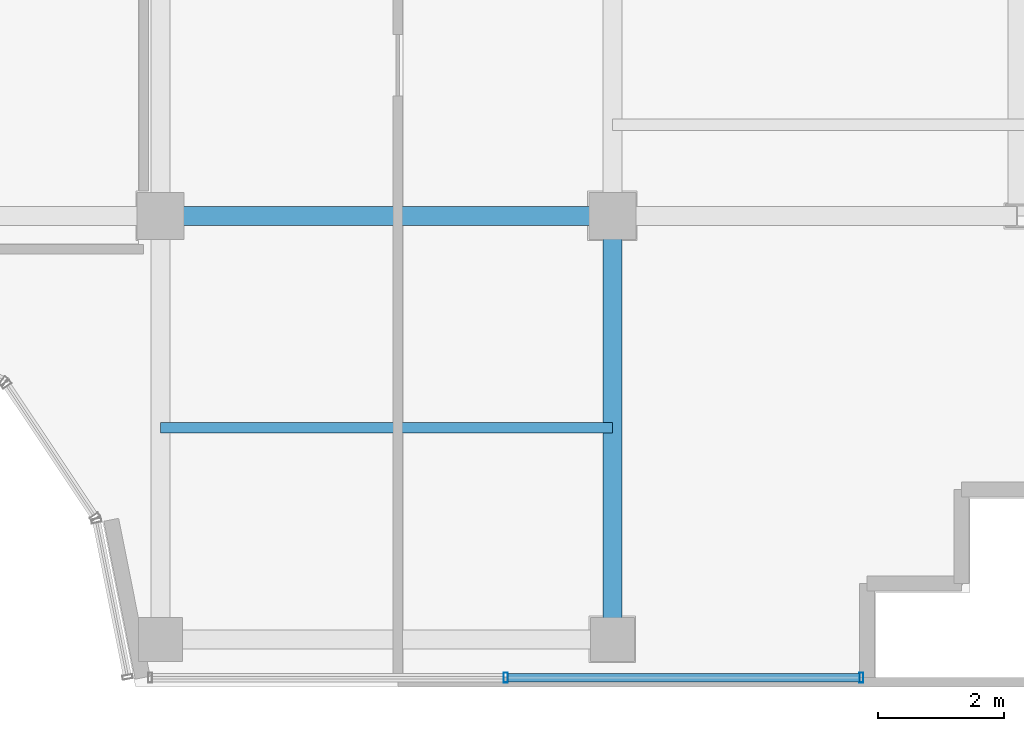
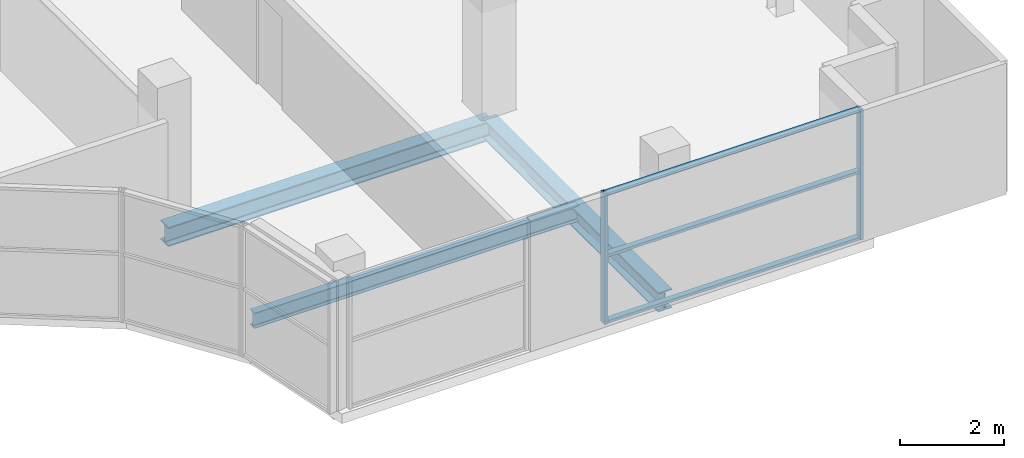
# One storey, part 13 of 29: 5 members, 3 beams, 1 element without a shape of its own.
"""IFC4 building model written with IfcOpenShell, lengths in metres."""

from ifc_helpers import new_model, si_unit, direction, frame, origin, origin_2d, place, context, subcontext, project, spatial, hollow_rectangle, i_section, extrude, source, transform, mapped, material, layer, layer_set, material_profile, profile_set, type_object, element, aggregate, save


model = new_model("IFC4")

# Units and contexts
model_context = context("Model", 3, precision=1e-05, world=origin(), true_north=direction((0.0, 1.0)))
body_context = subcontext(model_context, "Body", "Model", "MODEL_VIEW")
ifc_project = project(units=[si_unit("LENGTHUNIT", "METRE"), si_unit("AREAUNIT", "SQUARE_METRE"), si_unit("VOLUMEUNIT", "CUBIC_METRE"), si_unit("PLANEANGLEUNIT", "RADIAN"), si_unit("MASSUNIT", "GRAM", prefix="KILO")], contexts=[model_context])

# Site, building, storey
site_placement = place(None, origin())
site = spatial("IfcSite", under=ifc_project, at=site_placement, CompositionType="ELEMENT")
building_placement = place(site_placement, origin())
building = spatial("IfcBuilding", under=site, at=building_placement, Name="Zarnakvel Exchange Tower", CompositionType="ELEMENT")
storey_placement = place(building_placement, frame((0.0, 0.0, 265.0)))
storey = spatial("IfcBuildingStorey", under=building, at=storey_placement, Name="L75", CompositionType="ELEMENT", Elevation=265.0)

# Beams
ifc_material_1 = material(Name="Steel S355", Category="steel")
ifc_material_profile_1 = material_profile(ifc_material_1, i_section(OverallWidth=0.169921875, OverallDepth=0.360107421875, WebThickness=0.008056640625, FlangeThickness=0.0126953125, FilletRadius=0.01806640625, at=origin_2d()))
ifc_profile_set_1 = profile_set([ifc_material_profile_1], Name="Steel S355")
beam_type_1 = type_object("IfcBeamType", Name="B-07", PredefinedType="JOIST", material=ifc_profile_set_1)
beam_1_placement = place(storey_placement, frame((7.199951171875, -12.97509765625, -0.405029296875), z_axis=(1.0, 0.0, 0.0), x_axis=(0.0, 1.0, 0.0)))
element("IfcBeam", 1, at=beam_1_placement, inside=storey, type_object=beam_type_1, Name="L75 Composite Floor Secondary Joist", PredefinedType="JOIST", context=body_context, shape_type="SweptSolid", body=[
    extrude(i_section(OverallWidth=0.169921875, OverallDepth=0.360107421875, WebThickness=0.008056640625, FlangeThickness=0.0126953125, FilletRadius=0.01806640625, at=origin_2d()), origin(), (0.0, 0.0, 1.0), 7.199951171875),
])
ifc_material_profile_2 = material_profile(ifc_material_1, i_section(OverallWidth=0.300048828125, OverallDepth=0.449951171875, WebThickness=0.013916015625, FlangeThickness=0.02587890625, FilletRadius=0.027099609375, at=origin_2d()))
ifc_profile_set_2 = profile_set([ifc_material_profile_2], Name="Steel S355")
beam_type_2 = type_object("IfcBeamType", Name="G-07", PredefinedType="BEAM", material=ifc_profile_set_2)
beam_2_placement = place(storey_placement, frame((7.199951171875, -9.60009765625, -0.449951171875), z_axis=(1.0, 0.0, 0.0), x_axis=(0.0, 1.0, 0.0)))
element("IfcBeam", 2, at=beam_2_placement, inside=storey, type_object=beam_type_2, Name="L75 Tower E-W Frame Beam", PredefinedType="BEAM", context=body_context, shape_type="SweptSolid", body=[
    extrude(i_section(OverallWidth=0.300048828125, OverallDepth=0.449951171875, WebThickness=0.013916015625, FlangeThickness=0.02587890625, FilletRadius=0.027099609375, at=origin_2d()), origin(), (0.0, 0.0, 1.0), 7.199951171875),
])
beam_3_placement = place(storey_placement, frame((14.39990234375, -16.35009765625, -0.449951171875), z_axis=(0.0, 1.0, 0.0), x_axis=(-1.0, 0.0, 0.0)))
element("IfcBeam", 3, at=beam_3_placement, inside=storey, type_object=beam_type_2, Name="L75 Tower N-S Frame Beam", PredefinedType="BEAM", context=body_context, shape_type="SweptSolid", body=[
    extrude(i_section(OverallWidth=0.300048828125, OverallDepth=0.449951171875, WebThickness=0.013916015625, FlangeThickness=0.02587890625, FilletRadius=0.027099609375, at=origin_2d()), origin(), (0.0, 0.0, 1.0), 6.75),
])

# Curtain wall, members
ifc_material_2 = material(Name="Architectural Bronze Anodised Aluminium", Category="aluminium")
ifc_layer = layer(ifc_material_2, 0.159912109375)
ifc_layer_set = layer_set([ifc_layer], Name="Architectural Bronze Anodised Aluminium")
curtain_wall_type = type_object("IfcCurtainWallType", Name="CW-06", PredefinedType="NOTDEFINED", material=ifc_layer_set)
curtain_wall_placement = place(storey_placement, origin())
curtain_wall = element("IfcCurtainWall", 4, at=curtain_wall_placement, inside=storey, type_object=curtain_wall_type, Name="L75 Curtain Wall CW-L75-NSE (CW-06)", PredefinedType="NOTDEFINED")
ifc_material_profile_3 = material_profile(ifc_material_2, hollow_rectangle(XDim=0.1298828125, YDim=0.06494140625, WallThickness=0.00390625, at=origin_2d()))
ifc_profile_set_3 = profile_set([ifc_material_profile_3], Name="Architectural Bronze Anodised Aluminium")
member_type_1 = type_object("IfcMemberType", Name="CWT-06", PredefinedType="USERDEFINED", material=ifc_profile_set_3)
shared_shape_1 = source(origin(), body_context, "Body", "SweptSolid", [
    extrude(hollow_rectangle(XDim=0.1298828125, YDim=0.06494140625, WallThickness=0.00390625, at=origin_2d()), origin(), (0.0, 0.0, 1.0), 5.6025390625),
])
member_1_placement = place(storey_placement, frame((12.732421875, -16.9599609375, 0.032470703125), z_axis=(1.0, 0.0, 0.0), x_axis=(0.0, 1.0, 0.0)))
member_1 = element("IfcMember", 5, at=member_1_placement, type_object=member_type_1, Name="CW-06 transom 2.1", ObjectType="TRANSOM", PredefinedType="USERDEFINED", context=body_context, shape_type="MappedRepresentation", body=[
    mapped(shared_shape_1, transform((0.0, 0.0, 0.0), x_axis=(1.0, 0.0, 0.0), y_axis=(0.0, 1.0, 0.0), z_axis=(0.0, 0.0, 1.0), scale=1.0)),
])
member_2_placement = place(storey_placement, frame((12.732421875, -16.9599609375, 1.588623046875), z_axis=(1.0, 0.0, 0.0), x_axis=(0.0, 1.0, 0.0)))
member_2 = element("IfcMember", 6, at=member_2_placement, type_object=member_type_1, Name="CW-06 transom 2.2", ObjectType="TRANSOM", PredefinedType="USERDEFINED", context=body_context, shape_type="MappedRepresentation", body=[
    mapped(shared_shape_1, transform((0.0, 0.0, 0.0), x_axis=(1.0, 0.0, 0.0), y_axis=(0.0, 1.0, 0.0), z_axis=(0.0, 0.0, 1.0), scale=1.0)),
])
member_3_placement = place(storey_placement, frame((12.732421875, -16.9599609375, 3.0224609375), z_axis=(1.0, 0.0, 0.0), x_axis=(0.0, 1.0, 0.0)))
member_3 = element("IfcMember", 7, at=member_3_placement, type_object=member_type_1, Name="CW-06 transom 2.3", ObjectType="TRANSOM", PredefinedType="USERDEFINED", context=body_context, shape_type="MappedRepresentation", body=[
    mapped(shared_shape_1, transform((0.0, 0.0, 0.0), x_axis=(1.0, 0.0, 0.0), y_axis=(0.0, 1.0, 0.0), z_axis=(0.0, 0.0, 1.0), scale=1.0)),
])
ifc_material_profile_4 = material_profile(ifc_material_2, hollow_rectangle(XDim=0.159912109375, YDim=0.06494140625, WallThickness=0.00390625, at=origin_2d()))
ifc_profile_set_4 = profile_set([ifc_material_profile_4], Name="Architectural Bronze Anodised Aluminium")
member_type_2 = type_object("IfcMemberType", Name="CWM-06", PredefinedType="MULLION", material=ifc_profile_set_4)
shared_shape_2 = source(origin(), body_context, "Body", "SweptSolid", [
    extrude(hollow_rectangle(XDim=0.159912109375, YDim=0.06494140625, WallThickness=0.00390625, at=origin_2d()), origin(), (0.0, 0.0, 1.0), 3.054931640625),
])
member_4_placement = place(storey_placement, frame((12.699951171875, -16.9599609375, 0.0), z_axis=(0.0, 0.0, 1.0), x_axis=(0.0, 1.0, 0.0)))
member_4 = element("IfcMember", 8, at=member_4_placement, type_object=member_type_2, Name="CW-06 mullion 2", PredefinedType="MULLION", context=body_context, shape_type="MappedRepresentation", body=[
    mapped(shared_shape_2, transform((0.0, 0.0, 0.0), x_axis=(1.0, 0.0, 0.0), y_axis=(0.0, 1.0, 0.0), z_axis=(0.0, 0.0, 1.0), scale=1.0)),
])
member_5_placement = place(storey_placement, frame((18.367431640625, -16.9599609375, 0.0), z_axis=(0.0, 0.0, 1.0), x_axis=(0.0, 1.0, 0.0)))
member_5 = element("IfcMember", 9, at=member_5_placement, type_object=member_type_2, Name="CW-06 mullion 3", PredefinedType="MULLION", context=body_context, shape_type="MappedRepresentation", body=[
    mapped(shared_shape_2, transform((0.0, 0.0, 0.0), x_axis=(1.0, 0.0, 0.0), y_axis=(0.0, 1.0, 0.0), z_axis=(0.0, 0.0, 1.0), scale=1.0)),
])
aggregate(curtain_wall, [member_4, member_5, member_1, member_2, member_3])

save(model, "model.ifc")
